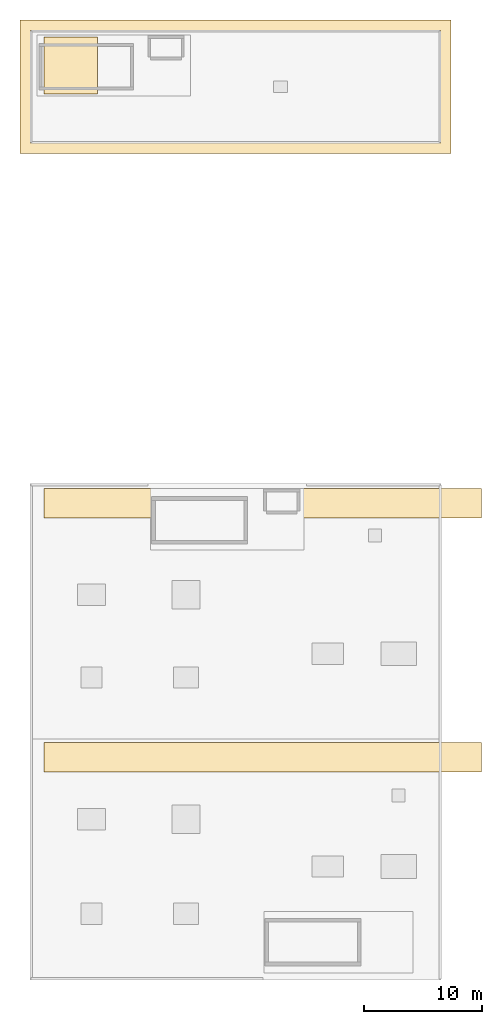
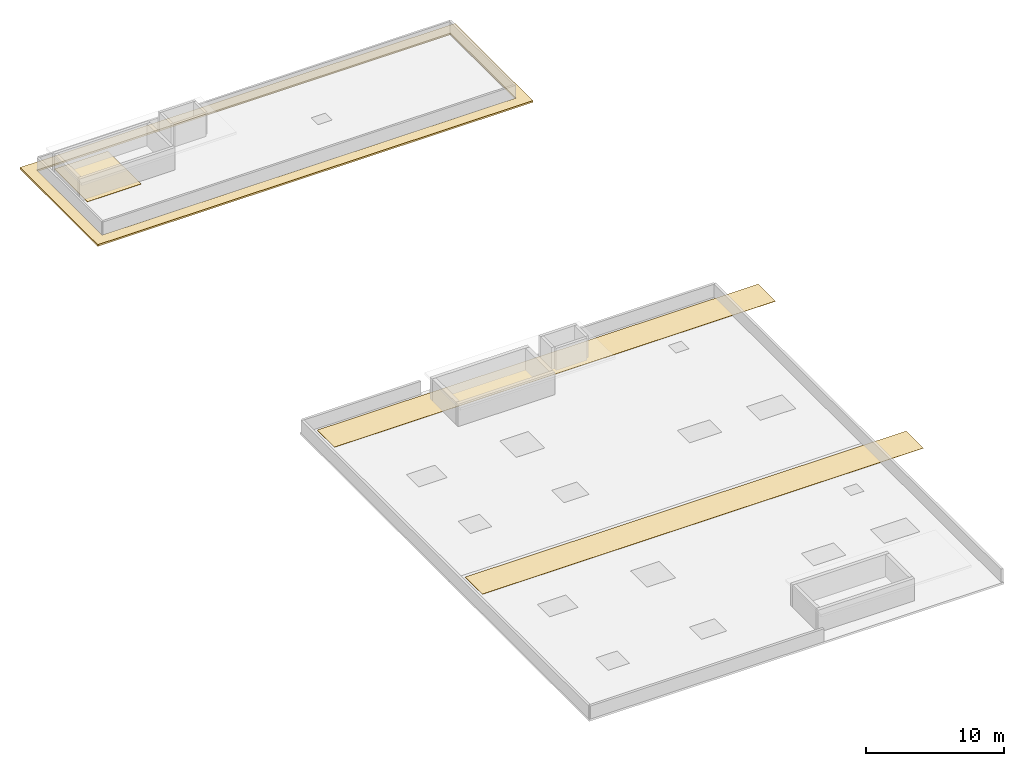
# One storey, part 2 of 2: 4 coverings.
"""IFC4 building model written with IfcOpenShell, lengths in metres."""

from ifc_helpers import new_model, si_unit, direction, frame, origin, place, context, subcontext, project, spatial, polyline, outline, extrude, material, layer, layer_set, type_object, element, save


model = new_model("IFC4")

# Units and contexts
model_context = context("Model", 3, precision=1e-05, world=origin(), true_north=direction((0.0, 1.0)))
body_context = subcontext(model_context, "Body", "Model", "MODEL_VIEW")
ifc_project = project(units=[si_unit("LENGTHUNIT", "METRE"), si_unit("AREAUNIT", "SQUARE_METRE"), si_unit("VOLUMEUNIT", "CUBIC_METRE"), si_unit("PLANEANGLEUNIT", "RADIAN"), si_unit("MASSUNIT", "GRAM", prefix="KILO")], contexts=[model_context])

# Site, building, storey
site_placement = place(None, origin())
site = spatial("IfcSite", under=ifc_project, at=site_placement, CompositionType="ELEMENT")
building_placement = place(site_placement, origin())
building = spatial("IfcBuilding", under=site, at=building_placement, Name="Nzembalo Square Collegiate School", CompositionType="ELEMENT")
storey_placement = place(building_placement, frame((0.0, 0.0, 24.820068359375)))
storey = spatial("IfcBuildingStorey", under=building, at=storey_placement, Name="RF", CompositionType="ELEMENT", Elevation=24.820068359375)

# Coverings
ifc_material_1 = material(Name="Glulam GL28h overhanging eaves cornice", Category="wood")
ifc_layer_1 = layer(ifc_material_1, 0.159912109375, Name="Glulam GL28h overhanging eaves cornice")
ifc_layer_set_1 = layer_set([ifc_layer_1], Name="Glulam GL28h overhanging eaves cornice")
covering_type_1 = type_object("IfcCoveringType", Name="EV01", PredefinedType="ROOFING", material=ifc_layer_set_1)
covering_1_placement = place(storey_placement, frame((0.0, 0.0, -0.16015625)))
element("IfcCovering", 1, at=covering_1_placement, inside=storey, type_object=covering_type_1, Name="Projecting tropical roof eaves cornice EV01-02", PredefinedType="ROOFING", context=body_context, shape_type="SweptSolid", body=[
    extrude(outline(polyline([(129.949951171875, 78.35009765625), (166.449951171875, 78.35009765625), (166.449951171875, 89.64990234375), (129.949951171875, 89.64990234375), (129.949951171875, 78.35009765625)]), holes=[polyline([(130.85009765625, 79.25), (165.550048828125, 79.25), (165.550048828125, 88.75), (130.85009765625, 88.75), (130.85009765625, 79.25)])]), origin(), (0.0, 0.0, 1.0), 0.150146484375),
])
ifc_material_2 = material(Name="Reflective TPO weatherproofing membrane")
ifc_layer_2 = layer(ifc_material_2, 0.02490234375, Name="Reflective TPO weatherproofing membrane")
ifc_layer_set_2 = layer_set([ifc_layer_2], Name="Reflective TPO weatherproofing membrane")
covering_type_2 = type_object("IfcCoveringType", Name="RF01", PredefinedType="ROOFING", material=ifc_layer_set_2)
covering_2_placement = place(storey_placement, origin())
element("IfcCovering", 2, at=covering_2_placement, inside=storey, type_object=covering_type_2, Name="Roof waterproofing membrane RF01-01", PredefinedType="ROOFING", context=body_context, shape_type="SweptSolid", body=[
    extrude(outline(polyline([(132.0, 26.0), (169.0, 26.0), (169.0, 28.5), (132.0, 28.5), (132.0, 26.0)])), origin(), (0.0, 0.0, 1.0), 0.02490234375),
])
covering_3_placement = place(storey_placement, origin())
element("IfcCovering", 3, at=covering_3_placement, inside=storey, type_object=covering_type_2, Name="Roof waterproofing membrane RF01-02", PredefinedType="ROOFING", context=body_context, shape_type="SweptSolid", body=[
    extrude(outline(polyline([(132.0, 47.5), (169.0, 47.5), (169.0, 50.0), (132.0, 50.0), (132.0, 47.5)])), origin(), (0.0, 0.0, 1.0), 0.02490234375),
])
covering_4_placement = place(storey_placement, origin())
element("IfcCovering", 4, at=covering_4_placement, inside=storey, type_object=covering_type_2, Name="Roof waterproofing membrane RF01-03", PredefinedType="ROOFING", context=body_context, shape_type="SweptSolid", body=[
    extrude(outline(polyline([(132.0, 83.39990234375), (136.5, 83.39990234375), (136.5, 88.199951171875), (132.0, 88.199951171875), (132.0, 83.39990234375)])), origin(), (0.0, 0.0, 1.0), 0.02490234375),
])

save(model, "model.ifc")
